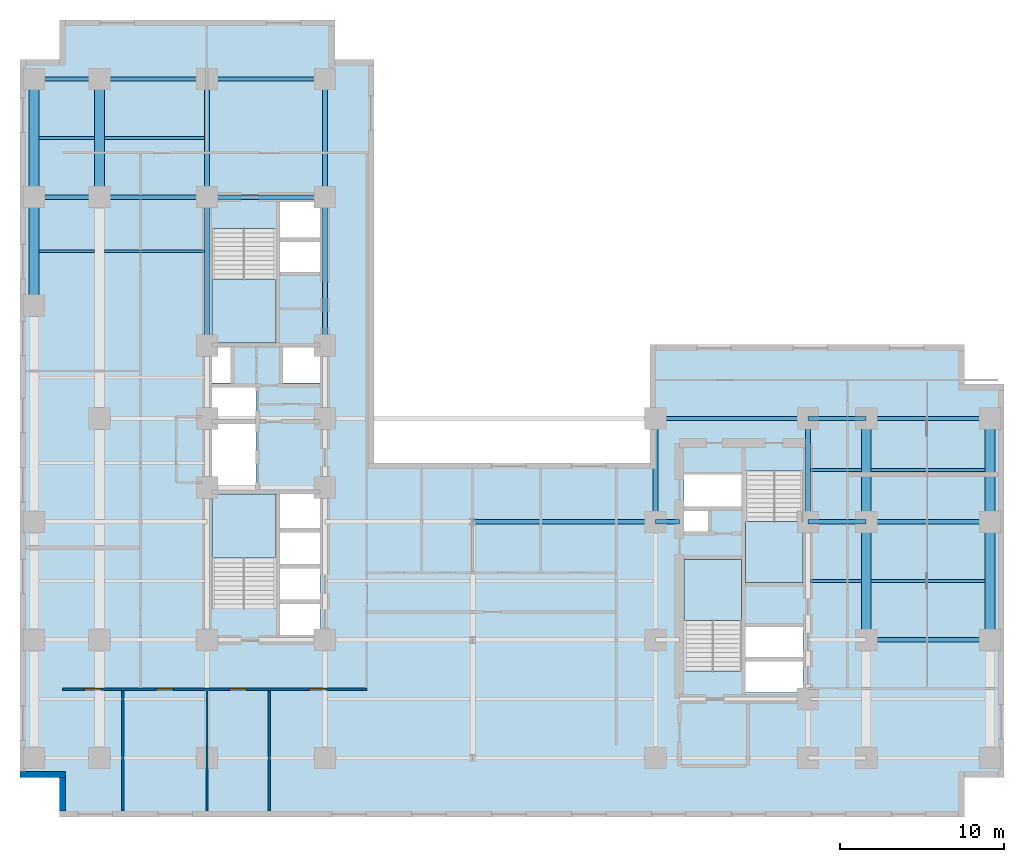
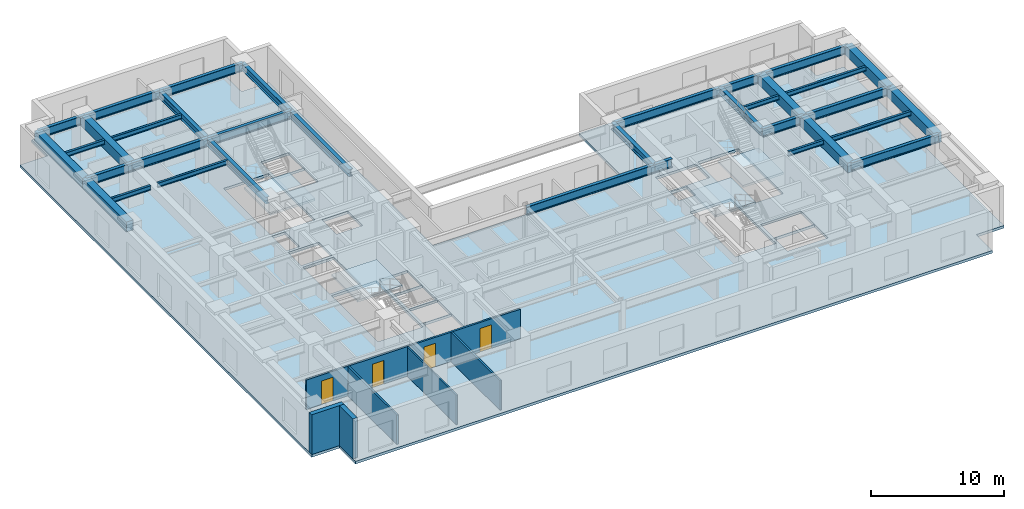
# One storey, part 2 of 9: 35 beams, 6 walls, 5 slabs, 4 doors, 4 openings, 4 elements without a shape of their own.
"""IFC4 building model written with IfcOpenShell, lengths in metres."""

from ifc_helpers import new_model, entity, si_unit, converted_unit, direction, frame, origin_with_axes, origin_2d_with_axis, place, context, subcontext, project, spatial, polyline, rectangle, i_section, outline, extrude, material, layer, layer_set, material_profile, profile_set, type_object, element, fill, aggregate, save


model = new_model("IFC4")

# Units and contexts
model_context = context("Model", 3, precision=1e-05, world=origin_with_axes(), true_north=direction((0.0, 1.0)))
body_context = subcontext(model_context, "Body", "Model", "MODEL_VIEW")
ifc_project = project(units=[si_unit("LENGTHUNIT", "METRE"), si_unit("AREAUNIT", "SQUARE_METRE"), si_unit("VOLUMEUNIT", "CUBIC_METRE"), converted_unit("PLANEANGLEUNIT", "DEGREE", entity("IfcPlaneAngleMeasure", 0.017453292519943295), si_unit("PLANEANGLEUNIT", "RADIAN"), dimensions=[0, 0, 0, 0, 0, 0, 0]), si_unit("MASSUNIT", "GRAM", prefix="KILO"), si_unit("THERMODYNAMICTEMPERATUREUNIT", "KELVIN")], contexts=[model_context])

# Site, building, storey
site_placement = place(None, origin_with_axes())
site = spatial("IfcSite", under=ifc_project, at=site_placement, CompositionType="ELEMENT")
building_placement = place(site_placement, origin_with_axes())
building = spatial("IfcBuilding", under=site, at=building_placement, Name="Varnlund Millrace Tower", CompositionType="ELEMENT")
storey_placement = place(building_placement, frame((0.0, 0.0, 63.9), z_axis=(0.0, 0.0, 1.0), x_axis=(1.0, 0.0, 0.0)))
storey = spatial("IfcBuildingStorey", under=building, at=storey_placement, Name="L15", CompositionType="ELEMENT", Elevation=63.9)

# Beams
ifc_material_1 = material(Name="Steel ASTM A992 Grade 50", Category="steel")
ifc_material_profile_1 = material_profile(ifc_material_1, i_section(OverallWidth=0.328, OverallDepth=0.628, WebThickness=0.0165, FlangeThickness=0.0277, FilletRadius=0.018, at=origin_2d_with_axis()), Name="Steel ASTM A992 Grade 50")
ifc_profile_set_1 = profile_set([ifc_material_profile_1], Name="Steel ASTM A992 Grade 50")
beam_type_1 = type_object("IfcBeamType", Name="Type-Girder-W24X146", PredefinedType="USERDEFINED", material=ifc_profile_set_1)
beam_1_placement = place(storey_placement, frame((11.4, 28.75, 3.346), z_axis=(0.0, 1.0, 0.0), x_axis=(-1.0, 0.0, 0.0)))
element("IfcBeam", 1, at=beam_1_placement, inside=storey, type_object=beam_type_1, Name="Type-Girder-W24X146", ObjectType="GIRDER", PredefinedType="USERDEFINED", context=body_context, shape_type="SweptSolid", body=[
    extrude(i_section(OverallWidth=0.328, OverallDepth=0.628, WebThickness=0.0165, FlangeThickness=0.0277, FilletRadius=0.018, at=origin_2d_with_axis()), origin_with_axes(), (0.0, 0.0, 1.0), 9.05),
])
beam_2_placement = place(storey_placement, frame((11.4, 37.8, 3.346), z_axis=(0.0, 1.0, 0.0), x_axis=(-1.0, 0.0, 0.0)))
element("IfcBeam", 2, at=beam_2_placement, inside=storey, type_object=beam_type_1, Name="Type-Girder-W24X146", ObjectType="GIRDER", PredefinedType="USERDEFINED", context=body_context, shape_type="SweptSolid", body=[
    extrude(i_section(OverallWidth=0.328, OverallDepth=0.628, WebThickness=0.0165, FlangeThickness=0.0277, FilletRadius=0.018, at=origin_2d_with_axis()), origin_with_axes(), (0.0, 0.0, 1.0), 7.2),
])
beam_3_placement = place(storey_placement, frame((18.6, 28.75, 3.346), z_axis=(0.0, 1.0, 0.0), x_axis=(-1.0, 0.0, 0.0)))
element("IfcBeam", 3, at=beam_3_placement, inside=storey, type_object=beam_type_1, Name="Type-Girder-W24X146", ObjectType="GIRDER", PredefinedType="USERDEFINED", context=body_context, shape_type="SweptSolid", body=[
    extrude(i_section(OverallWidth=0.328, OverallDepth=0.628, WebThickness=0.0165, FlangeThickness=0.0277, FilletRadius=0.018, at=origin_2d_with_axis()), origin_with_axes(), (0.0, 0.0, 1.0), 9.05),
])
beam_4_placement = place(storey_placement, frame((18.6, 37.8, 3.346), z_axis=(0.0, 1.0, 0.0), x_axis=(-1.0, 0.0, 0.0)))
element("IfcBeam", 4, at=beam_4_placement, inside=storey, type_object=beam_type_1, Name="Type-Girder-W24X146", ObjectType="GIRDER", PredefinedType="USERDEFINED", context=body_context, shape_type="SweptSolid", body=[
    extrude(i_section(OverallWidth=0.328, OverallDepth=0.628, WebThickness=0.0165, FlangeThickness=0.0277, FilletRadius=0.018, at=origin_2d_with_axis()), origin_with_axes(), (0.0, 0.0, 1.0), 7.2),
])
for number, where, z_axis, x_axis, name in (
    (5, (38.75, 18.0, 3.346), (0.0, 1.0, 0.0), (-1.0, 0.0, 0.0), "Type-Girder-W24X146"),
    (6, (48.05, 18.0, 3.346), (0.0, 1.0, 0.0), (-1.0, 0.0, 0.0), "Type-Girder-W24X146"),
):
    element("IfcBeam", number, at=place(storey_placement, frame(where, z_axis=z_axis, x_axis=x_axis)), inside=storey, type_object=beam_type_1, Name=name, ObjectType="GIRDER", PredefinedType="USERDEFINED", context=body_context, shape_type="SweptSolid", body=[
        extrude(i_section(OverallWidth=0.328, OverallDepth=0.628, WebThickness=0.0165, FlangeThickness=0.0277, FilletRadius=0.018, at=origin_2d_with_axis()), origin_with_axes(), (0.0, 0.0, 1.0), 6.3),
    ])
ifc_material_profile_2 = material_profile(ifc_material_1, i_section(OverallWidth=0.266, OverallDepth=0.779, WebThickness=0.0165, FlangeThickness=0.03, FilletRadius=0.02, at=origin_2d_with_axis()), Name="Steel ASTM A992 Grade 50")
ifc_profile_set_2 = profile_set([ifc_material_profile_2], Name="Steel ASTM A992 Grade 50")
beam_type_2 = type_object("IfcBeamType", Name="Type-Girder-W30X148", PredefinedType="USERDEFINED", material=ifc_profile_set_2)
beam_5_placement = place(storey_placement, frame((51.6, 10.8, 3.2705), z_axis=(1.0, 0.0, 0.0), x_axis=(0.0, 1.0, 0.0)))
element("IfcBeam", 7, at=beam_5_placement, inside=storey, type_object=beam_type_2, Name="Type-Girder-W30X148", ObjectType="GIRDER", PredefinedType="USERDEFINED", context=body_context, shape_type="SweptSolid", body=[
    extrude(i_section(OverallWidth=0.266, OverallDepth=0.779, WebThickness=0.0165, FlangeThickness=0.03, FilletRadius=0.02, at=origin_2d_with_axis()), origin_with_axes(), (0.0, 0.0, 1.0), 7.55),
])
beam_6_placement = place(storey_placement, frame((27.6, 18.0, 3.2705), z_axis=(1.0, 0.0, 0.0), x_axis=(0.0, 1.0, 0.0)))
element("IfcBeam", 8, at=beam_6_placement, inside=storey, type_object=beam_type_2, Name="Type-Girder-W30X148", ObjectType="GIRDER", PredefinedType="USERDEFINED", context=body_context, shape_type="SweptSolid", body=[
    extrude(i_section(OverallWidth=0.266, OverallDepth=0.779, WebThickness=0.0165, FlangeThickness=0.03, FilletRadius=0.02, at=origin_2d_with_axis()), origin_with_axes(), (0.0, 0.0, 1.0), 11.15),
])
beam_7_placement = place(storey_placement, frame((38.75, 18.0, 3.2705), z_axis=(1.0, 0.0, 0.0), x_axis=(0.0, 1.0, 0.0)))
element("IfcBeam", 9, at=beam_7_placement, inside=storey, type_object=beam_type_2, Name="Type-Girder-W30X148", ObjectType="GIRDER", PredefinedType="USERDEFINED", context=body_context, shape_type="SweptSolid", body=[
    extrude(i_section(OverallWidth=0.266, OverallDepth=0.779, WebThickness=0.0165, FlangeThickness=0.03, FilletRadius=0.02, at=origin_2d_with_axis()), origin_with_axes(), (0.0, 0.0, 1.0), 1.45),
])
beam_8_placement = place(storey_placement, frame((48.05, 18.0, 3.2705), z_axis=(1.0, 0.0, 0.0), x_axis=(0.0, 1.0, 0.0)))
element("IfcBeam", 10, at=beam_8_placement, inside=storey, type_object=beam_type_2, Name="Type-Girder-W30X148", ObjectType="GIRDER", PredefinedType="USERDEFINED", context=body_context, shape_type="SweptSolid", body=[
    extrude(i_section(OverallWidth=0.266, OverallDepth=0.779, WebThickness=0.0165, FlangeThickness=0.03, FilletRadius=0.02, at=origin_2d_with_axis()), origin_with_axes(), (0.0, 0.0, 1.0), 3.55),
])
beam_9_placement = place(storey_placement, frame((51.6, 18.0, 3.2705), z_axis=(1.0, 0.0, 0.0), x_axis=(0.0, 1.0, 0.0)))
element("IfcBeam", 11, at=beam_9_placement, inside=storey, type_object=beam_type_2, Name="Type-Girder-W30X148", ObjectType="GIRDER", PredefinedType="USERDEFINED", context=body_context, shape_type="SweptSolid", body=[
    extrude(i_section(OverallWidth=0.266, OverallDepth=0.779, WebThickness=0.0165, FlangeThickness=0.03, FilletRadius=0.02, at=origin_2d_with_axis()), origin_with_axes(), (0.0, 0.0, 1.0), 7.55),
])
beam_10_placement = place(storey_placement, frame((38.75, 24.3, 3.2705), z_axis=(1.0, 0.0, 0.0), x_axis=(0.0, 1.0, 0.0)))
element("IfcBeam", 12, at=beam_10_placement, inside=storey, type_object=beam_type_2, Name="Type-Girder-W30X148", ObjectType="GIRDER", PredefinedType="USERDEFINED", context=body_context, shape_type="SweptSolid", body=[
    extrude(i_section(OverallWidth=0.266, OverallDepth=0.779, WebThickness=0.0165, FlangeThickness=0.03, FilletRadius=0.02, at=origin_2d_with_axis()), origin_with_axes(), (0.0, 0.0, 1.0), 9.3),
])
beam_11_placement = place(storey_placement, frame((48.05, 24.3, 3.2705), z_axis=(1.0, 0.0, 0.0), x_axis=(0.0, 1.0, 0.0)))
element("IfcBeam", 13, at=beam_11_placement, inside=storey, type_object=beam_type_2, Name="Type-Girder-W30X148", ObjectType="GIRDER", PredefinedType="USERDEFINED", context=body_context, shape_type="SweptSolid", body=[
    extrude(i_section(OverallWidth=0.266, OverallDepth=0.779, WebThickness=0.0165, FlangeThickness=0.03, FilletRadius=0.02, at=origin_2d_with_axis()), origin_with_axes(), (0.0, 0.0, 1.0), 3.55),
])
beam_12_placement = place(storey_placement, frame((51.6, 24.3, 3.2705), z_axis=(1.0, 0.0, 0.0), x_axis=(0.0, 1.0, 0.0)))
element("IfcBeam", 14, at=beam_12_placement, inside=storey, type_object=beam_type_2, Name="Type-Girder-W30X148", ObjectType="GIRDER", PredefinedType="USERDEFINED", context=body_context, shape_type="SweptSolid", body=[
    extrude(i_section(OverallWidth=0.266, OverallDepth=0.779, WebThickness=0.0165, FlangeThickness=0.03, FilletRadius=0.02, at=origin_2d_with_axis()), origin_with_axes(), (0.0, 0.0, 1.0), 7.55),
])
beam_13_placement = place(storey_placement, frame((0.85, 37.8, 3.2705), z_axis=(1.0, 0.0, 0.0), x_axis=(0.0, 1.0, 0.0)))
element("IfcBeam", 15, at=beam_13_placement, inside=storey, type_object=beam_type_2, Name="Type-Girder-W30X148", ObjectType="GIRDER", PredefinedType="USERDEFINED", context=body_context, shape_type="SweptSolid", body=[
    extrude(i_section(OverallWidth=0.266, OverallDepth=0.779, WebThickness=0.0165, FlangeThickness=0.03, FilletRadius=0.02, at=origin_2d_with_axis()), origin_with_axes(), (0.0, 0.0, 1.0), 4.0),
])
beam_14_placement = place(storey_placement, frame((4.85, 37.8, 3.2705), z_axis=(1.0, 0.0, 0.0), x_axis=(0.0, 1.0, 0.0)))
element("IfcBeam", 16, at=beam_14_placement, inside=storey, type_object=beam_type_2, Name="Type-Girder-W30X148", ObjectType="GIRDER", PredefinedType="USERDEFINED", context=body_context, shape_type="SweptSolid", body=[
    extrude(i_section(OverallWidth=0.266, OverallDepth=0.779, WebThickness=0.0165, FlangeThickness=0.03, FilletRadius=0.02, at=origin_2d_with_axis()), origin_with_axes(), (0.0, 0.0, 1.0), 6.55),
])
beam_15_placement = place(storey_placement, frame((11.4, 37.8, 3.2705), z_axis=(1.0, 0.0, 0.0), x_axis=(0.0, 1.0, 0.0)))
element("IfcBeam", 17, at=beam_15_placement, inside=storey, type_object=beam_type_2, Name="Type-Girder-W30X148", ObjectType="GIRDER", PredefinedType="USERDEFINED", context=body_context, shape_type="SweptSolid", body=[
    extrude(i_section(OverallWidth=0.266, OverallDepth=0.779, WebThickness=0.0165, FlangeThickness=0.03, FilletRadius=0.02, at=origin_2d_with_axis()), origin_with_axes(), (0.0, 0.0, 1.0), 7.2),
])
beam_16_placement = place(storey_placement, frame((0.85, 45.0, 3.2705), z_axis=(1.0, 0.0, 0.0), x_axis=(0.0, 1.0, 0.0)))
element("IfcBeam", 18, at=beam_16_placement, inside=storey, type_object=beam_type_2, Name="Type-Girder-W30X148", ObjectType="GIRDER", PredefinedType="USERDEFINED", context=body_context, shape_type="SweptSolid", body=[
    extrude(i_section(OverallWidth=0.266, OverallDepth=0.779, WebThickness=0.0165, FlangeThickness=0.03, FilletRadius=0.02, at=origin_2d_with_axis()), origin_with_axes(), (0.0, 0.0, 1.0), 4.0),
])
beam_17_placement = place(storey_placement, frame((4.85, 45.0, 3.2705), z_axis=(1.0, 0.0, 0.0), x_axis=(0.0, 1.0, 0.0)))
element("IfcBeam", 19, at=beam_17_placement, inside=storey, type_object=beam_type_2, Name="Type-Girder-W30X148", ObjectType="GIRDER", PredefinedType="USERDEFINED", context=body_context, shape_type="SweptSolid", body=[
    extrude(i_section(OverallWidth=0.266, OverallDepth=0.779, WebThickness=0.0165, FlangeThickness=0.03, FilletRadius=0.02, at=origin_2d_with_axis()), origin_with_axes(), (0.0, 0.0, 1.0), 6.55),
])
beam_18_placement = place(storey_placement, frame((11.4, 45.0, 3.2705), z_axis=(1.0, 0.0, 0.0), x_axis=(0.0, 1.0, 0.0)))
element("IfcBeam", 20, at=beam_18_placement, inside=storey, type_object=beam_type_2, Name="Type-Girder-W30X148", ObjectType="GIRDER", PredefinedType="USERDEFINED", context=body_context, shape_type="SweptSolid", body=[
    extrude(i_section(OverallWidth=0.266, OverallDepth=0.779, WebThickness=0.0165, FlangeThickness=0.03, FilletRadius=0.02, at=origin_2d_with_axis()), origin_with_axes(), (0.0, 0.0, 1.0), 7.2),
])
ifc_material_profile_3 = material_profile(ifc_material_1, i_section(OverallWidth=0.181, OverallDepth=0.417, WebThickness=0.0109, FlangeThickness=0.0182, FilletRadius=0.013, at=origin_2d_with_axis()), Name="Steel ASTM A992 Grade 50")
ifc_profile_set_3 = profile_set([ifc_material_profile_3], Name="Steel ASTM A992 Grade 50")
beam_type_3 = type_object("IfcBeamType", Name="Type-Joist-W16X57", PredefinedType="JOIST", material=ifc_profile_set_3)
for number, where, z_axis, x_axis, name in (
    (21, (1.15, 34.5, 3.4515), (1.0, 0.0, 0.0), (0.0, 1.0, 0.0), "Type-Joist-W16X57"),
    (22, (1.15, 41.4, 3.4515), (1.0, 0.0, 0.0), (0.0, 1.0, 0.0), "Type-Joist-W16X57"),
):
    element("IfcBeam", number, at=place(storey_placement, frame(where, z_axis=z_axis, x_axis=x_axis)), inside=storey, type_object=beam_type_3, Name=name, PredefinedType="JOIST", context=body_context, shape_type="SweptSolid", body=[
        extrude(i_section(OverallWidth=0.181, OverallDepth=0.417, WebThickness=0.0109, FlangeThickness=0.0182, FilletRadius=0.013, at=origin_2d_with_axis()), origin_with_axes(), (0.0, 0.0, 1.0), 3.4),
    ])
for number, where, z_axis, x_axis, name in (
    (23, (5.15, 34.5, 3.4515), (1.0, 0.0, 0.0), (0.0, 1.0, 0.0), "Type-Joist-W16X57"),
    (24, (5.15, 41.4, 3.4515), (1.0, 0.0, 0.0), (0.0, 1.0, 0.0), "Type-Joist-W16X57"),
):
    element("IfcBeam", number, at=place(storey_placement, frame(where, z_axis=z_axis, x_axis=x_axis)), inside=storey, type_object=beam_type_3, Name=name, PredefinedType="JOIST", context=body_context, shape_type="SweptSolid", body=[
        extrude(i_section(OverallWidth=0.181, OverallDepth=0.417, WebThickness=0.0109, FlangeThickness=0.0182, FilletRadius=0.013, at=origin_2d_with_axis()), origin_with_axes(), (0.0, 0.0, 1.0), 6.086),
    ])
for number, where, z_axis, x_axis, name in (
    (25, (48.214, 14.4, 3.4515), (1.0, 0.0, 0.0), (0.0, 1.0, 0.0), "Type-Joist-W16X57"),
    (26, (48.214, 21.15, 3.4515), (1.0, 0.0, 0.0), (0.0, 1.0, 0.0), "Type-Joist-W16X57"),
):
    element("IfcBeam", number, at=place(storey_placement, frame(where, z_axis=z_axis, x_axis=x_axis)), inside=storey, type_object=beam_type_3, Name=name, PredefinedType="JOIST", context=body_context, shape_type="SweptSolid", body=[
        extrude(i_section(OverallWidth=0.181, OverallDepth=0.417, WebThickness=0.0109, FlangeThickness=0.0182, FilletRadius=0.013, at=origin_2d_with_axis()), origin_with_axes(), (0.0, 0.0, 1.0), 3.086),
    ])
for number, where, z_axis, x_axis, name in (
    (27, (51.9, 14.4, 3.4515), (1.0, 0.0, 0.0), (0.0, 1.0, 0.0), "Type-Joist-W16X57"),
    (28, (51.9, 21.15, 3.4515), (1.0, 0.0, 0.0), (0.0, 1.0, 0.0), "Type-Joist-W16X57"),
):
    element("IfcBeam", number, at=place(storey_placement, frame(where, z_axis=z_axis, x_axis=x_axis)), inside=storey, type_object=beam_type_3, Name=name, PredefinedType="JOIST", context=body_context, shape_type="SweptSolid", body=[
        extrude(i_section(OverallWidth=0.181, OverallDepth=0.417, WebThickness=0.0109, FlangeThickness=0.0182, FilletRadius=0.013, at=origin_2d_with_axis()), origin_with_axes(), (0.0, 0.0, 1.0), 6.95),
    ])
ifc_material_2 = material(Name="Concrete C70/85", Category="concrete")
ifc_material_profile_4 = material_profile(ifc_material_2, rectangle(XDim=0.6, YDim=0.9, at=origin_2d_with_axis()), Name="Concrete C70/85")
ifc_profile_set_4 = profile_set([ifc_material_profile_4], Name="Concrete C70/85")
beam_type_4 = type_object("IfcBeamType", Name="Type-Spandrel-RC600X900", PredefinedType="SPANDREL", material=ifc_profile_set_4)
beam_19_placement = place(storey_placement, frame((0.85, 31.2, 3.21), z_axis=(0.0, 1.0, 0.0), x_axis=(-1.0, 0.0, 0.0)))
element("IfcBeam", 29, at=beam_19_placement, inside=storey, type_object=beam_type_4, Name="Type-Spandrel-RC600X900", PredefinedType="SPANDREL", context=body_context, shape_type="SweptSolid", body=[
    extrude(rectangle(XDim=0.6, YDim=0.9, at=origin_2d_with_axis()), origin_with_axes(), (0.0, 0.0, 1.0), 6.6),
])
for number, where, z_axis, x_axis, name in (
    (30, (0.85, 37.8, 3.21), (0.0, 1.0, 0.0), (-1.0, 0.0, 0.0), "Type-Spandrel-RC600X900"),
    (31, (4.85, 37.8, 3.21), (0.0, 1.0, 0.0), (-1.0, 0.0, 0.0), "Type-Spandrel-RC600X900"),
    (32, (51.6, 10.8, 3.21), (0.0, 1.0, 0.0), (-1.0, 0.0, 0.0), "Type-Spandrel-RC600X900"),
):
    element("IfcBeam", number, at=place(storey_placement, frame(where, z_axis=z_axis, x_axis=x_axis)), inside=storey, type_object=beam_type_4, Name=name, PredefinedType="SPANDREL", context=body_context, shape_type="SweptSolid", body=[
        extrude(rectangle(XDim=0.6, YDim=0.9, at=origin_2d_with_axis()), origin_with_axes(), (0.0, 0.0, 1.0), 7.2),
    ])
beam_20_placement = place(storey_placement, frame((51.6, 18.0, 3.21), z_axis=(0.0, 1.0, 0.0), x_axis=(-1.0, 0.0, 0.0)))
element("IfcBeam", 33, at=beam_20_placement, inside=storey, type_object=beam_type_4, Name="Type-Spandrel-RC600X900", PredefinedType="SPANDREL", context=body_context, shape_type="SweptSolid", body=[
    extrude(rectangle(XDim=0.6, YDim=0.9, at=origin_2d_with_axis()), origin_with_axes(), (0.0, 0.0, 1.0), 6.3),
])
beam_21_placement = place(storey_placement, frame((59.15, 10.8, 3.21), z_axis=(0.0, 1.0, 0.0), x_axis=(-1.0, 0.0, 0.0)))
element("IfcBeam", 34, at=beam_21_placement, inside=storey, type_object=beam_type_4, Name="Type-Spandrel-RC600X900", PredefinedType="SPANDREL", context=body_context, shape_type="SweptSolid", body=[
    extrude(rectangle(XDim=0.6, YDim=0.9, at=origin_2d_with_axis()), origin_with_axes(), (0.0, 0.0, 1.0), 7.2),
])
beam_22_placement = place(storey_placement, frame((59.15, 18.0, 3.21), z_axis=(0.0, 1.0, 0.0), x_axis=(-1.0, 0.0, 0.0)))
element("IfcBeam", 35, at=beam_22_placement, inside=storey, type_object=beam_type_4, Name="Type-Spandrel-RC600X900", PredefinedType="SPANDREL", context=body_context, shape_type="SweptSolid", body=[
    extrude(rectangle(XDim=0.6, YDim=0.9, at=origin_2d_with_axis()), origin_with_axes(), (0.0, 0.0, 1.0), 6.3),
])

# Slab
ifc_material_3 = material(Name="Concrete C60/75", Category="concrete")
ifc_layer_1 = layer(ifc_material_3, 0.24, Name="Concrete C60/75")
ifc_layer_set_1 = layer_set([ifc_layer_1], Name="Concrete C60/75")
slab_type_1 = type_object("IfcSlabType", Name="Type-Deck-Plate-Typical-240", PredefinedType="FLOOR", material=ifc_layer_set_1)
slab_1_placement = place(storey_placement, frame((0.0, 0.0, -0.24), z_axis=(0.0, 0.0, 1.0), x_axis=(1.0, 0.0, 0.0)))
element("IfcSlab", 36, at=slab_1_placement, inside=storey, type_object=slab_type_1, Name="Type-Deck-Plate-Typical-240", PredefinedType="FLOOR", context=body_context, shape_type="SweptSolid", body=[
    extrude(outline(polyline([(21.6, 21.6), (21.6, 46.2), (19.2, 46.2), (19.2, 48.6), (2.4, 48.6), (2.4, 46.2), (0.0, 46.2), (0.0, 2.4), (2.4, 2.4), (2.4, 0.0), (57.6, 0.0), (57.6, 2.4), (60.0, 2.4), (60.0, 26.4), (57.6, 26.4), (57.6, 28.8), (38.4, 28.8), (38.4, 21.6), (21.6, 21.6)]), holes=[polyline([(18.3, 11.1), (15.84, 11.1), (15.84, 13.1), (18.3, 13.1), (18.3, 11.1)]), polyline([(18.3, 13.16), (15.84, 13.16), (15.84, 15.24), (18.3, 15.24), (18.3, 13.16)]), polyline([(15.6, 12.715), (11.7, 12.715), (11.7, 19.7), (15.6, 19.7), (15.6, 12.715)]), polyline([(18.3, 15.34), (15.84, 15.34), (15.84, 17.46), (18.3, 17.46), (18.3, 15.34)]), polyline([(18.3, 17.52), (15.84, 17.52), (15.84, 19.7), (18.3, 19.7), (18.3, 17.52)]), polyline([(14.38, 23.98), (14.38, 19.94), (11.7, 19.94), (11.7, 23.98), (14.38, 23.98)]), polyline([(11.7, 24.24), (11.7, 26.2), (14.38, 26.2), (14.38, 24.24), (11.7, 24.24)]), polyline([(11.7, 26.46), (11.7, 28.65), (12.84, 28.65), (12.84, 26.46), (11.7, 26.46)]), polyline([(15.6, 28.9), (11.7, 28.9), (11.7, 35.885), (15.6, 35.885), (15.6, 28.9)]), polyline([(47.75, 7.6), (44.25, 7.6), (44.25, 9.6), (47.75, 9.6), (47.75, 7.6)]), polyline([(47.75, 9.66), (44.25, 9.66), (44.25, 11.68), (47.75, 11.68), (47.75, 9.66)]), polyline([(40.5, 8.915), (40.5, 15.7), (44.0, 15.7), (44.0, 8.915), (40.5, 8.915)]), polyline([(44.25, 14.3), (44.25, 21.085), (47.75, 21.085), (47.75, 14.3), (44.25, 14.3)]), polyline([(41.95, 17.42), (40.5, 17.42), (40.5, 18.72), (41.95, 18.72), (41.95, 17.42)]), polyline([(44.0, 18.88), (40.5, 18.88), (40.5, 20.94), (44.0, 20.94), (44.0, 18.88)]), polyline([(18.3, 26.46), (16.04, 26.46), (16.04, 28.65), (18.3, 28.65), (18.3, 26.46)]), polyline([(15.84, 33.12), (15.84, 35.18), (18.3, 35.18), (18.3, 33.12), (15.84, 33.12)]), polyline([(15.84, 35.22), (15.84, 37.5), (18.3, 37.5), (18.3, 35.22), (15.84, 35.22)])]), origin_with_axes(), (0.0, 0.0, 1.0), 0.24),
])

# Stair, slab
ifc_material_4 = material(Name="Concrete C50/60", Category="concrete")
stair_type_1 = type_object("IfcStairType", Name="Type-Stair-Dogleg-185-390", PredefinedType="HALF_TURN_STAIR", material=ifc_material_4)
stair_1_placement = place(storey_placement, origin_with_axes())
stair_1 = element("IfcStair", 37, at=stair_1_placement, inside=storey, type_object=stair_type_1, Name="Type-Stair-Dogleg-185-390", PredefinedType="HALF_TURN_STAIR")
ifc_layer_2 = layer(ifc_material_4, 0.2, Name="Concrete C50/60")
ifc_layer_set_2 = layer_set([ifc_layer_2], Name="Concrete C50/60")
slab_type_2 = type_object("IfcSlabType", Name="Type-StairLanding-200", PredefinedType="LANDING", material=ifc_layer_set_2)
slab_2_placement = place(storey_placement, frame((0.0, 0.0, 1.75), z_axis=(0.0, 0.0, 1.0), x_axis=(1.0, 0.0, 0.0)))
slab_2 = element("IfcSlab", 38, at=slab_2_placement, type_object=slab_type_2, Name="ST-A1 landing 1", PredefinedType="LANDING", context=body_context, shape_type="SweptSolid", body=[
    extrude(outline(polyline([(15.6, 15.78), (15.6, 19.7), (11.7, 19.7), (11.7, 15.78), (15.6, 15.78)])), origin_with_axes(), (0.0, 0.0, 1.0), 0.2),
])
aggregate(stair_1, [slab_2])

stair_2_placement = place(storey_placement, origin_with_axes())
stair_2 = element("IfcStair", 39, at=stair_2_placement, inside=storey, type_object=stair_type_1, Name="Type-Stair-Dogleg-185-390", PredefinedType="HALF_TURN_STAIR")
slab_3_placement = place(storey_placement, frame((0.0, 0.0, 1.75), z_axis=(0.0, 0.0, 1.0), x_axis=(1.0, 0.0, 0.0)))
slab_3 = element("IfcSlab", 40, at=slab_3_placement, type_object=slab_type_2, Name="ST-A2 landing 1", PredefinedType="LANDING", context=body_context, shape_type="SweptSolid", body=[
    extrude(outline(polyline([(11.7, 32.82), (11.7, 28.9), (15.6, 28.9), (15.6, 32.82), (11.7, 32.82)])), origin_with_axes(), (0.0, 0.0, 1.0), 0.2),
])
aggregate(stair_2, [slab_3])

stair_type_2 = type_object("IfcStairType", Name="Type-Stair-Dogleg-165-390", PredefinedType="HALF_TURN_STAIR", material=ifc_material_4)
stair_3_placement = place(storey_placement, origin_with_axes())
stair_3 = element("IfcStair", 41, at=stair_3_placement, inside=storey, type_object=stair_type_2, Name="Type-Stair-Dogleg-165-390", PredefinedType="HALF_TURN_STAIR")
slab_4_placement = place(storey_placement, frame((0.0, 0.0, 1.75), z_axis=(0.0, 0.0, 1.0), x_axis=(1.0, 0.0, 0.0)))
slab_4 = element("IfcSlab", 42, at=slab_4_placement, type_object=slab_type_2, Name="ST-B1 landing 1", PredefinedType="LANDING", context=body_context, shape_type="SweptSolid", body=[
    extrude(outline(polyline([(44.0, 11.98), (44.0, 15.7), (40.5, 15.7), (40.5, 11.98), (44.0, 11.98)])), origin_with_axes(), (0.0, 0.0, 1.0), 0.2),
])
aggregate(stair_3, [slab_4])

stair_4_placement = place(storey_placement, origin_with_axes())
stair_4 = element("IfcStair", 43, at=stair_4_placement, inside=storey, type_object=stair_type_2, Name="Type-Stair-Dogleg-165-390", PredefinedType="HALF_TURN_STAIR")
slab_5_placement = place(storey_placement, frame((0.0, 0.0, 1.75), z_axis=(0.0, 0.0, 1.0), x_axis=(1.0, 0.0, 0.0)))
slab_5 = element("IfcSlab", 44, at=slab_5_placement, type_object=slab_type_2, Name="ST-B2 landing 1", PredefinedType="LANDING", context=body_context, shape_type="SweptSolid", body=[
    extrude(outline(polyline([(44.25, 18.02), (44.25, 14.3), (47.75, 14.3), (47.75, 18.02), (44.25, 18.02)])), origin_with_axes(), (0.0, 0.0, 1.0), 0.2),
])
aggregate(stair_4, [slab_5])

# Walls
ifc_material_5 = material(Name="Precast concrete C50/60", Category="concrete")
ifc_layer_3 = layer(ifc_material_5, 0.38, Name="Precast concrete C50/60")
ifc_layer_set_3 = layer_set([ifc_layer_3], Name="Precast concrete C50/60")
wall_type_1 = type_object("IfcWallType", Name="Type-ExtWall-Precast-Tube-380", PredefinedType="SOLIDWALL", material=ifc_layer_set_3)
wall_1_placement = place(storey_placement, frame((2.59, 0.38, 0.0), z_axis=(0.0, 0.0, 1.0), x_axis=(0.0, 1.0, 0.0)))
element("IfcWall", 45, at=wall_1_placement, inside=storey, type_object=wall_type_1, Name="Type-ExtWall-Precast-Tube-380", PredefinedType="SOLIDWALL", context=body_context, shape_type="SweptSolid", body=[
    extrude(outline(polyline([(0.0, -0.19), (2.02, -0.19), (2.02, 0.19), (0.0, 0.19), (0.0, -0.19)])), origin_with_axes(), (0.0, 0.0, 1.0), 3.66),
])
wall_2_placement = place(storey_placement, frame((2.78, 2.59, 0.0), z_axis=(0.0, 0.0, 1.0), x_axis=(-1.0, 0.0, 0.0)))
element("IfcWall", 46, at=wall_2_placement, inside=storey, type_object=wall_type_1, Name="Type-ExtWall-Precast-Tube-380", PredefinedType="SOLIDWALL", context=body_context, shape_type="SweptSolid", body=[
    extrude(outline(polyline([(0.0, -0.19), (2.78, -0.19), (2.78, 0.19), (0.0, 0.19), (0.0, -0.19)])), origin_with_axes(), (0.0, 0.0, 1.0), 3.66),
])

# Wall, openings, doors
ifc_material_6 = material(Name="Fire-rated gypsum board on cold-formed steel framing", Category="steel")
ifc_layer_4 = layer(ifc_material_6, 0.16, Name="Fire-rated gypsum board on cold-formed steel framing")
ifc_layer_set_4 = layer_set([ifc_layer_4], Name="Fire-rated gypsum board on cold-formed steel framing")
wall_type_2 = type_object("IfcWallType", Name="Type-Partition-Corridor-160", PredefinedType="PARTITIONING", material=ifc_layer_set_4)
wall_3_placement = place(storey_placement, frame((2.6, 7.8, 0.0), z_axis=(0.0, 0.0, 1.0), x_axis=(1.0, 0.0, 0.0)))
wall_3 = element("IfcWall", 47, at=wall_3_placement, inside=storey, type_object=wall_type_2, Name="Type-Partition-Corridor-160", PredefinedType="PARTITIONING", context=body_context, shape_type="SweptSolid", body=[
    extrude(outline(polyline([(0.0, -0.08), (18.55, -0.08), (18.55, 0.08), (0.0, 0.08), (0.0, -0.08)])), origin_with_axes(), (0.0, 0.0, 1.0), 2.7),
])
opening_1_placement = place(wall_3_placement, frame((1.8245, 0.0, 0.0), z_axis=(0.0, 0.0, 1.0), x_axis=(1.0, 0.0, 0.0)))
opening_1 = element("IfcOpeningElement", 48, at=opening_1_placement, cuts=wall_3, Name="Opening L15:DR-WAS-01", PredefinedType="OPENING", context=body_context, shape_type="SweptSolid", body=[
    extrude(rectangle(XDim=1.0, YDim=0.18, at=origin_2d_with_axis()), origin_with_axes(), (0.0, 0.0, 1.0), 2.15),
])
opening_2_placement = place(wall_3_placement, frame((6.2295, 0.0, 0.0), z_axis=(0.0, 0.0, 1.0), x_axis=(1.0, 0.0, 0.0)))
opening_2 = element("IfcOpeningElement", 49, at=opening_2_placement, cuts=wall_3, Name="Opening L15:DR-WAS-02", PredefinedType="OPENING", context=body_context, shape_type="SweptSolid", body=[
    extrude(rectangle(XDim=1.0, YDim=0.18, at=origin_2d_with_axis()), origin_with_axes(), (0.0, 0.0, 1.0), 2.15),
])
opening_3_placement = place(wall_3_placement, frame((10.7055, 0.0, 0.0), z_axis=(0.0, 0.0, 1.0), x_axis=(1.0, 0.0, 0.0)))
opening_3 = element("IfcOpeningElement", 50, at=opening_3_placement, cuts=wall_3, Name="Opening L15:DR-WAS-03", PredefinedType="OPENING", context=body_context, shape_type="SweptSolid", body=[
    extrude(rectangle(XDim=1.0, YDim=0.18, at=origin_2d_with_axis()), origin_with_axes(), (0.0, 0.0, 1.0), 2.15),
])
opening_4_placement = place(wall_3_placement, frame((15.5555, 0.0, 0.0), z_axis=(0.0, 0.0, 1.0), x_axis=(1.0, 0.0, 0.0)))
opening_4 = element("IfcOpeningElement", 51, at=opening_4_placement, cuts=wall_3, Name="Opening L15:DR-WAS-04", PredefinedType="OPENING", context=body_context, shape_type="SweptSolid", body=[
    extrude(rectangle(XDim=1.0, YDim=0.18, at=origin_2d_with_axis()), origin_with_axes(), (0.0, 0.0, 1.0), 2.15),
])
ifc_material_7 = material(Name="Solid-core white oak and bronze frame door")
door_type = type_object("IfcDoorType", Name="Type-IntDoor-Office-1000X2150", OperationType="NOTDEFINED", PredefinedType="DOOR", material=ifc_material_7)
door_1_placement = place(wall_3_placement, frame((1.8245, 0.0, 0.0), z_axis=(0.0, 0.0, 1.0), x_axis=(1.0, 0.0, 0.0)))
door_1 = element("IfcDoor", 52, at=door_1_placement, inside=storey, type_object=door_type, Name="Type-IntDoor-Office-1000X2150", OperationType="SINGLE_SWING_LEFT", OverallHeight=2.15, OverallWidth=1.0, PredefinedType="DOOR", context=body_context, shape_type="SweptSolid", body=[
    extrude(rectangle(XDim=1.0, YDim=0.09, at=origin_2d_with_axis()), origin_with_axes(), (0.0, 0.0, 1.0), 2.15),
])
fill(opening_1, door_1)
door_2_placement = place(wall_3_placement, frame((6.2295, 0.0, 0.0), z_axis=(0.0, 0.0, 1.0), x_axis=(1.0, 0.0, 0.0)))
door_2 = element("IfcDoor", 53, at=door_2_placement, inside=storey, type_object=door_type, Name="Type-IntDoor-Office-1000X2150", OperationType="SINGLE_SWING_RIGHT", OverallHeight=2.15, OverallWidth=1.0, PredefinedType="DOOR", context=body_context, shape_type="SweptSolid", body=[
    extrude(rectangle(XDim=1.0, YDim=0.09, at=origin_2d_with_axis()), origin_with_axes(), (0.0, 0.0, 1.0), 2.15),
])
fill(opening_2, door_2)
door_3_placement = place(wall_3_placement, frame((10.7055, 0.0, 0.0), z_axis=(0.0, 0.0, 1.0), x_axis=(1.0, 0.0, 0.0)))
door_3 = element("IfcDoor", 54, at=door_3_placement, inside=storey, type_object=door_type, Name="Type-IntDoor-Office-1000X2150", OperationType="SINGLE_SWING_LEFT", OverallHeight=2.15, OverallWidth=1.0, PredefinedType="DOOR", context=body_context, shape_type="SweptSolid", body=[
    extrude(rectangle(XDim=1.0, YDim=0.09, at=origin_2d_with_axis()), origin_with_axes(), (0.0, 0.0, 1.0), 2.15),
])
fill(opening_3, door_3)
door_4_placement = place(wall_3_placement, frame((15.5555, 0.0, 0.0), z_axis=(0.0, 0.0, 1.0), x_axis=(1.0, 0.0, 0.0)))
door_4 = element("IfcDoor", 55, at=door_4_placement, inside=storey, type_object=door_type, Name="Type-IntDoor-Office-1000X2150", OperationType="SINGLE_SWING_RIGHT", OverallHeight=2.15, OverallWidth=1.0, PredefinedType="DOOR", context=body_context, shape_type="SweptSolid", body=[
    extrude(rectangle(XDim=1.0, YDim=0.09, at=origin_2d_with_axis()), origin_with_axes(), (0.0, 0.0, 1.0), 2.15),
])
fill(opening_4, door_4)

# Walls
ifc_material_8 = material(Name="Acoustic STC-50 gypsum board partition", Category="gypsum")
ifc_layer_5 = layer(ifc_material_8, 0.15, Name="Acoustic STC-50 gypsum board partition")
ifc_layer_set_5 = layer_set([ifc_layer_5], Name="Acoustic STC-50 gypsum board partition")
wall_type_3 = type_object("IfcWallType", Name="Type-Partition-Demising-150", PredefinedType="PARTITIONING", material=ifc_layer_set_5)
for number, where, z_axis, x_axis, name in (
    (56, (6.259, 0.36, 0.0), (0.0, 0.0, 1.0), (0.0, 1.0, 0.0), "Type-Partition-Demising-150"),
    (57, (15.211, 0.36, 0.0), (0.0, 0.0, 1.0), (0.0, 1.0, 0.0), "Type-Partition-Demising-150"),
):
    element("IfcWall", number, at=place(storey_placement, frame(where, z_axis=z_axis, x_axis=x_axis)), inside=storey, type_object=wall_type_3, Name=name, PredefinedType="PARTITIONING", context=body_context, shape_type="SweptSolid", body=[
        extrude(outline(polyline([(0.0, -0.075), (7.34, -0.075), (7.34, 0.075), (0.0, 0.075), (0.0, -0.075)])), origin_with_axes(), (0.0, 0.0, 1.0), 2.7),
    ])
ifc_material_9 = material(Name="Gypsum board tenant partition", Category="gypsum")
ifc_layer_6 = layer(ifc_material_9, 0.125, Name="Gypsum board tenant partition")
ifc_layer_set_6 = layer_set([ifc_layer_6], Name="Gypsum board tenant partition")
wall_type_4 = type_object("IfcWallType", Name="Type-Partition-Tenant-125", PredefinedType="PARTITIONING", material=ifc_layer_set_6)
wall_4_placement = place(storey_placement, frame((11.4, 0.36, 0.0), z_axis=(0.0, 0.0, 1.0), x_axis=(0.0, 1.0, 0.0)))
element("IfcWall", 58, at=wall_4_placement, inside=storey, type_object=wall_type_4, Name="Type-Partition-Tenant-125", PredefinedType="PARTITIONING", context=body_context, shape_type="SweptSolid", body=[
    extrude(outline(polyline([(0.0, -0.0625), (7.34, -0.0625), (7.34, 0.0625), (0.0, 0.0625), (0.0, -0.0625)])), origin_with_axes(), (0.0, 0.0, 1.0), 2.7),
])

save(model, "model.ifc")
